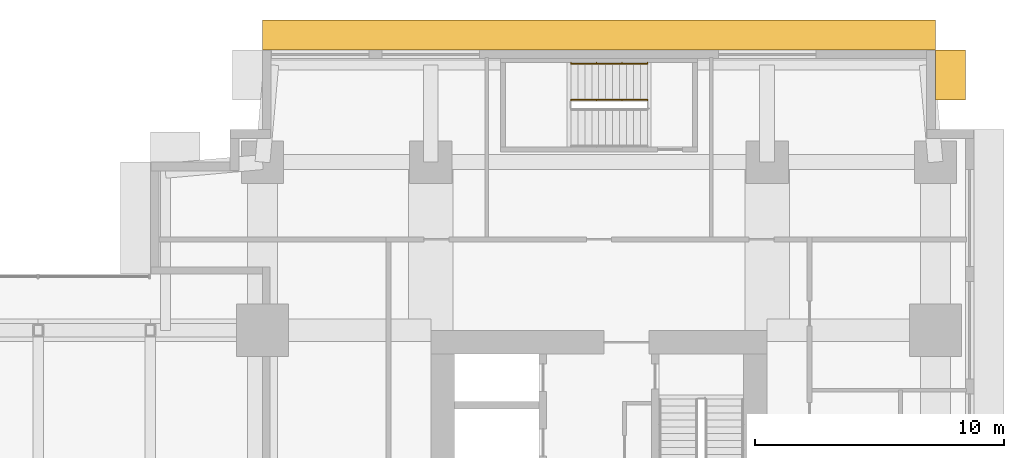
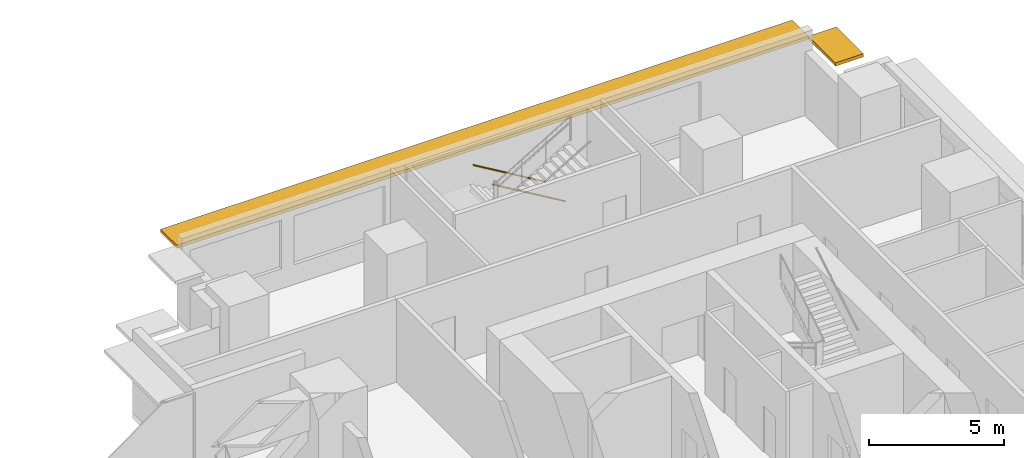
# One storey, part 15 of 15: 2 railings, 2 shading devices.
"""IFC4 building model written with IfcOpenShell, lengths in metres."""

from ifc_helpers import new_model, si_unit, direction, frame, origin, origin_2d, place, context, subcontext, project, spatial, rectangle, circle, extrude, material, layer, layer_set, type_object, element, save


model = new_model("IFC4")

# Units and contexts
model_context = context("Model", 3, precision=1e-05, world=origin(), true_north=direction((0.0, 1.0)))
body_context = subcontext(model_context, "Body", "Model", "MODEL_VIEW")
ifc_project = project(units=[si_unit("LENGTHUNIT", "METRE"), si_unit("AREAUNIT", "SQUARE_METRE"), si_unit("VOLUMEUNIT", "CUBIC_METRE"), si_unit("PLANEANGLEUNIT", "RADIAN"), si_unit("MASSUNIT", "GRAM", prefix="KILO")], contexts=[model_context])

# Site, building, storey
site_placement = place(None, origin())
site = spatial("IfcSite", under=ifc_project, at=site_placement, CompositionType="ELEMENT")
building_placement = place(site_placement, origin())
building = spatial("IfcBuilding", under=site, at=building_placement, Name="Namib Vertical Campus", CompositionType="ELEMENT")
storey_placement = place(building_placement, frame((0.0, 0.0, 105.0)))
storey = spatial("IfcBuildingStorey", under=building, at=storey_placement, Name="L24", CompositionType="ELEMENT", Elevation=105.0)

# Railings
ifc_material_1 = material(Name="Steel handrail", Category="steel")
railing_type = type_object("IfcRailingType", Name="Handrail 900", PredefinedType="HANDRAIL", material=ifc_material_1)
railing_1_placement = place(storey_placement, frame((82.949951171875, 39.949951171875, 0.166748046875)))
element("IfcRailing", 1, at=railing_1_placement, inside=storey, type_object=railing_type, Name="Handrail HR1 B-S3 L24 1", PredefinedType="HANDRAIL", context=body_context, shape_type="SweptSolid", body=[
    extrude(circle(Radius=0.02392578125, at=origin_2d()), frame((0.0, 0.0, 0.8759765625), z_axis=(-0.859290745958, 0.0, 0.51148745235), x_axis=(0.0, -1.0, 0.0)), (0.0, 0.0, 1.0), 3.584228515625),
    extrude(circle(Radius=0.008056640625, at=origin_2d()), frame((0.0, 0.0, 0.8759765625), z_axis=(0.0, 1.0, 0.0), x_axis=(0.0, 0.0, 1.0)), (0.0, 0.0, 1.0), 0.050048828125),
    extrude(circle(Radius=0.008056640625, at=origin_2d()), frame((-1.026611328125, 0.0, 1.48681640625), z_axis=(0.0, 1.0, 0.0), x_axis=(0.0, 0.0, 1.0)), (0.0, 0.0, 1.0), 0.050048828125),
    extrude(circle(Radius=0.008056640625, at=origin_2d()), frame((-2.05322265625, 0.0, 2.09814453125), z_axis=(0.0, 1.0, 0.0), x_axis=(0.0, 0.0, 1.0)), (0.0, 0.0, 1.0), 0.050048828125),
    extrude(circle(Radius=0.008056640625, at=origin_2d()), frame((-3.079833984375, 0.0, 2.708984375), z_axis=(0.0, 1.0, 0.0), x_axis=(0.0, 0.0, 1.0)), (0.0, 0.0, 1.0), 0.050048828125),
])
railing_2_placement = place(storey_placement, frame((82.949951171875, 38.5, 0.166748046875)))
element("IfcRailing", 2, at=railing_2_placement, inside=storey, type_object=railing_type, Name="Handrail HR1 B-S3 L24 1 at the well", PredefinedType="HANDRAIL", context=body_context, shape_type="SweptSolid", body=[
    extrude(circle(Radius=0.02392578125, at=origin_2d()), frame((0.0, 0.0, 0.8759765625), z_axis=(-0.859290745958, 0.0, 0.51148745235), x_axis=(0.0, -1.0, 0.0)), (0.0, 0.0, 1.0), 3.584228515625),
    extrude(circle(Radius=0.008056640625, at=origin_2d()), frame((0.0, 0.0, 0.8759765625), z_axis=(0.0, -1.0, 0.0), x_axis=(0.0, 0.0, 1.0)), (0.0, 0.0, 1.0), 0.0400390625),
    extrude(circle(Radius=0.008056640625, at=origin_2d()), frame((-1.026611328125, 0.0, 1.48681640625), z_axis=(0.0, -1.0, 0.0), x_axis=(0.0, 0.0, 1.0)), (0.0, 0.0, 1.0), 0.0400390625),
    extrude(circle(Radius=0.008056640625, at=origin_2d()), frame((-2.05322265625, 0.0, 2.09814453125), z_axis=(0.0, -1.0, 0.0), x_axis=(0.0, 0.0, 1.0)), (0.0, 0.0, 1.0), 0.0400390625),
    extrude(circle(Radius=0.008056640625, at=origin_2d()), frame((-3.079833984375, 0.0, 2.708984375), z_axis=(0.0, -1.0, 0.0), x_axis=(0.0, 0.0, 1.0)), (0.0, 0.0, 1.0), 0.0400390625),
])

# Shading devices
ifc_material_2 = material(Name="Concrete C40/50 precast", Category="concrete")
ifc_layer = layer(ifc_material_2, 0.14990234375)
ifc_layer_set = layer_set([ifc_layer], Name="Concrete C40/50 precast")
shading_device_type = type_object("IfcShadingDeviceType", Name="Sunshade hood 1200", PredefinedType="SHUTTER", material=ifc_layer_set)
shading_device_1_placement = place(storey_placement, frame((95.10009765625, 39.5, 3.10009765625), z_axis=(0.0, 0.0, 1.0), x_axis=(0.0, 1.0, 0.0)))
element("IfcShadingDevice", 3, at=shading_device_1_placement, inside=storey, type_object=shading_device_type, Name="Sunshade SH2 L24 7", PredefinedType="SHUTTER", context=body_context, shape_type="SweptSolid", body=[
    extrude(rectangle(XDim=2.0, YDim=1.199951171875, at=origin_2d()), origin(), (0.0, 0.0, 1.0), 0.14990234375),
])
shading_device_2_placement = place(storey_placement, frame((81.0, 41.10009765625, 3.10009765625), z_axis=(0.0, 0.0, 1.0), x_axis=(-1.0, 0.0, 0.0)))
element("IfcShadingDevice", 4, at=shading_device_2_placement, inside=storey, type_object=shading_device_type, Name="Sunshade SH2 L24 8", PredefinedType="SHUTTER", context=body_context, shape_type="SweptSolid", body=[
    extrude(rectangle(XDim=27.0, YDim=1.199951171875, at=origin_2d()), origin(), (0.0, 0.0, 1.0), 0.14990234375),
])

save(model, "model.ifc")
